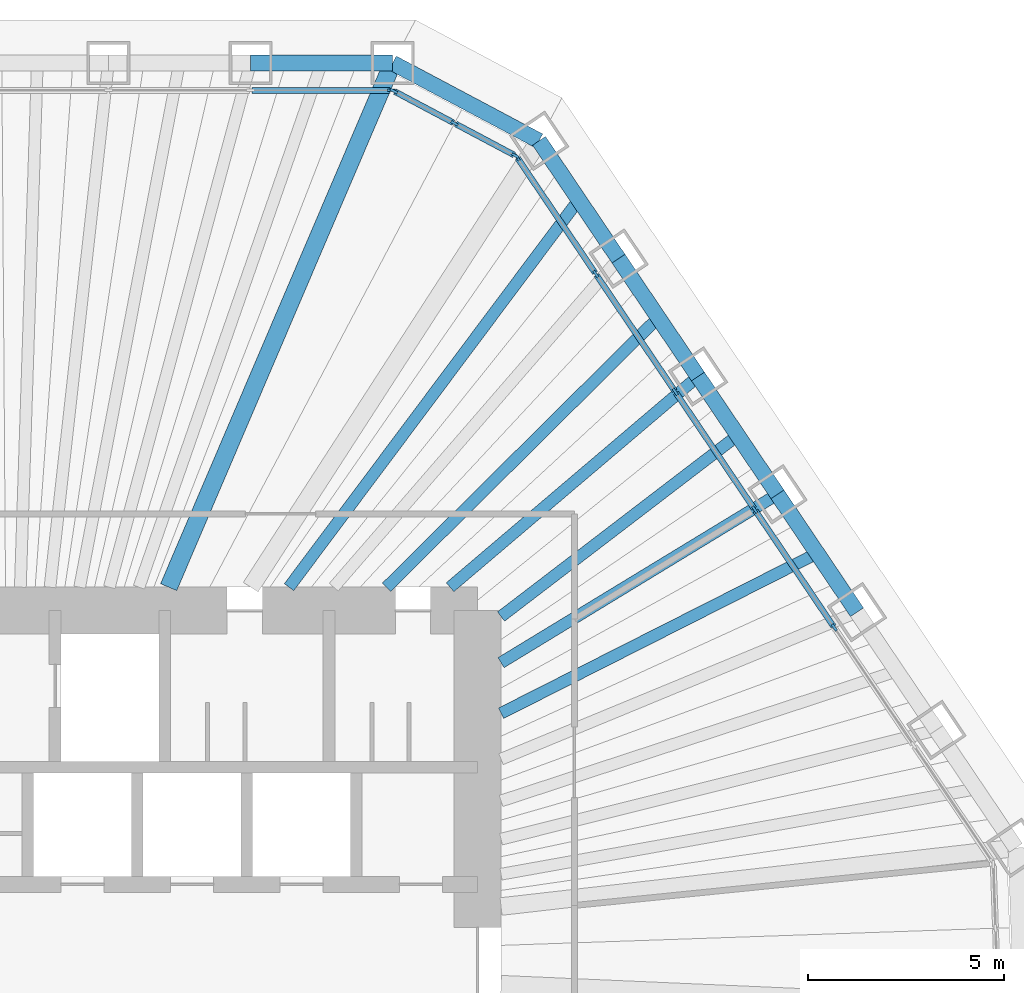
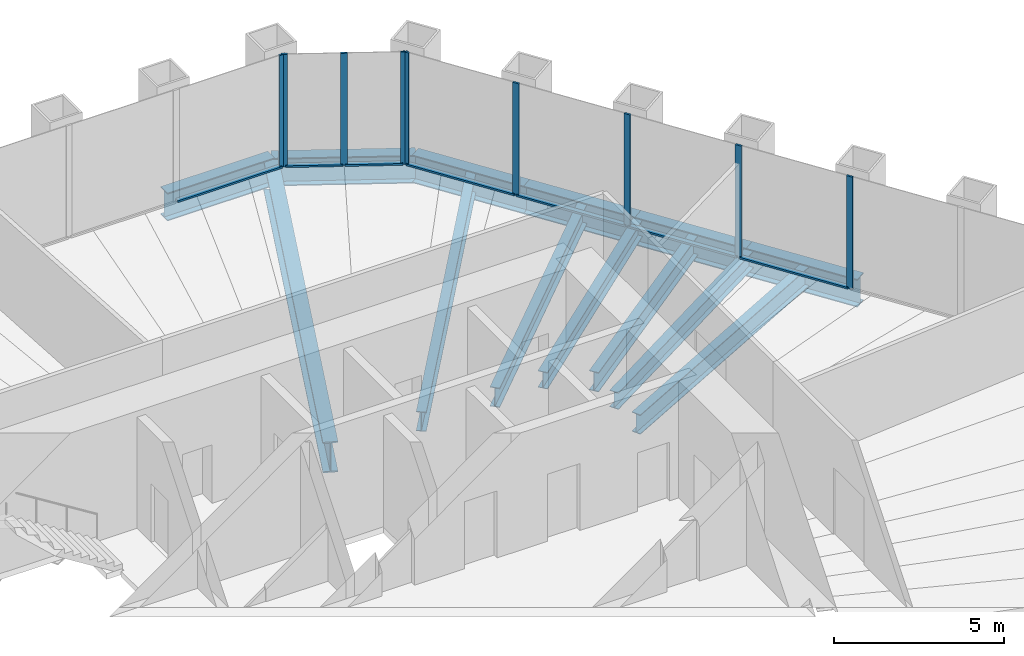
# One storey, part 7 of 13: 16 members, 13 beams, 3 elements without a shape of their own.
"""IFC4 building model written with IfcOpenShell, lengths in metres."""

from ifc_helpers import new_model, si_unit, direction, frame, origin, origin_2d, place, context, subcontext, project, spatial, rectangle, i_section, extrude, material, material_profile, profile_set, type_object, element, aggregate, save


model = new_model("IFC4")

# Units and contexts
model_context = context("Model", 3, precision=1e-05, world=origin(), true_north=direction((0.0, 1.0)))
body_context = subcontext(model_context, "Body", "Model", "MODEL_VIEW")
ifc_project = project(units=[si_unit("LENGTHUNIT", "METRE"), si_unit("AREAUNIT", "SQUARE_METRE"), si_unit("VOLUMEUNIT", "CUBIC_METRE"), si_unit("PLANEANGLEUNIT", "RADIAN"), si_unit("MASSUNIT", "GRAM", prefix="KILO")], contexts=[model_context])

# Site, building, storey
site_placement = place(None, origin())
site = spatial("IfcSite", under=ifc_project, at=site_placement, CompositionType="ELEMENT")
building_placement = place(site_placement, origin())
building = spatial("IfcBuilding", under=site, at=building_placement, Name="Qingtian Harvest Tower", CompositionType="ELEMENT")
storey_placement = place(building_placement, frame((0.0, 0.0, 218.199951171875)))
storey = spatial("IfcBuildingStorey", under=building, at=storey_placement, Name="L47", CompositionType="ELEMENT", Elevation=218.199951171875)

# Beams
ifc_material_1 = material(Name="Steel SM570MC", Category="steel")
ifc_material_profile_1 = material_profile(ifc_material_1, i_section(OverallWidth=0.449951171875, OverallDepth=1.10009765625, WebThickness=0.02197265625, FlangeThickness=0.044921875, at=origin_2d()), Name="H1100x450x22x45")
ifc_profile_set_1 = profile_set([ifc_material_profile_1], Name="Steel SM570MC")
beam_type_1 = type_object("IfcBeamType", Name="Corner floor beam FB8 H1100x450x22x45", PredefinedType="BEAM", material=ifc_profile_set_1)
beam_1_placement = place(storey_placement, frame((9.829345703125, 23.0, -0.719970703125), z_axis=(-0.392976835482, -0.91954837109, 0.0), x_axis=(0.91954837109, -0.392976835482, 0.0)))
element("IfcBeam", 1, at=beam_1_placement, inside=storey, type_object=beam_type_1, Name="Floor beam FB8 N6", PredefinedType="BEAM", context=body_context, shape_type="SweptSolid", body=[
    extrude(i_section(OverallWidth=0.449951171875, OverallDepth=1.10009765625, WebThickness=0.02197265625, FlangeThickness=0.044921875, at=origin_2d()), origin(), (0.0, 0.0, 1.0), 14.572265625),
])
ifc_material_2 = material(Name="Steel SN490B", Category="steel")
ifc_material_profile_2 = material_profile(ifc_material_2, i_section(OverallWidth=0.300048828125, OverallDepth=0.60009765625, WebThickness=0.011962890625, FlangeThickness=0.02001953125, at=origin_2d()), Name="H600x300x12x20")
ifc_profile_set_2 = profile_set([ifc_material_profile_2], Name="Steel SN490B")
beam_type_2 = type_object("IfcBeamType", Name="Floor beam FB3 H600x300x12x20", PredefinedType="BEAM", material=ifc_profile_set_2)
beam_2_placement = place(storey_placement, frame((17.635009765625, 14.985595703125, -0.469970703125), z_axis=(-0.762028398305, -0.647543604846, 0.0), x_axis=(0.647543604846, -0.762028398305, 0.0)))
element("IfcBeam", 2, at=beam_2_placement, inside=storey, type_object=beam_type_2, Name="Floor beam FB3 NE2", PredefinedType="BEAM", context=body_context, shape_type="SweptSolid", body=[
    extrude(i_section(OverallWidth=0.300048828125, OverallDepth=0.60009765625, WebThickness=0.011962890625, FlangeThickness=0.02001953125, at=origin_2d()), origin(), (0.0, 0.0, 1.0), 8.31689453125),
])
beam_3_placement = place(storey_placement, frame((19.6669921875, 11.97314453125, -0.469970703125), z_axis=(-0.854163224424, -0.520004986554, 0.0), x_axis=(0.520004986554, -0.854163224424, 0.0)))
element("IfcBeam", 3, at=beam_3_placement, inside=storey, type_object=beam_type_2, Name="Floor beam FB3 NE3", PredefinedType="BEAM", context=body_context, shape_type="SweptSolid", body=[
    extrude(i_section(OverallWidth=0.300048828125, OverallDepth=0.60009765625, WebThickness=0.011962890625, FlangeThickness=0.02001953125, at=origin_2d()), origin(), (0.0, 0.0, 1.0), 8.2734375),
])
ifc_material_3 = material(Name="Steel SN490B", Category="steel")
ifc_material_profile_3 = material_profile(ifc_material_3, i_section(OverallWidth=0.300048828125, OverallDepth=0.699951171875, WebThickness=0.012939453125, FlangeThickness=0.02392578125, at=origin_2d()), Name="H700x300x13x24")
ifc_profile_set_3 = profile_set([ifc_material_profile_3], Name="Steel SN490B")
beam_type_3 = type_object("IfcBeamType", Name="Floor joist J2 H700x300x13x24", PredefinedType="JOIST", material=ifc_profile_set_3)
beam_4_placement = place(storey_placement, frame((14.58740234375, 19.504150390625, -0.52001953125), z_axis=(-0.598935081494, -0.800797582511, 0.0), x_axis=(0.800797582511, -0.598935081494, 0.0)))
element("IfcBeam", 4, at=beam_4_placement, inside=storey, type_object=beam_type_3, Name="Floor joist J2 NE0", PredefinedType="JOIST", context=body_context, shape_type="SweptSolid", body=[
    extrude(i_section(OverallWidth=0.300048828125, OverallDepth=0.699951171875, WebThickness=0.012939453125, FlangeThickness=0.02392578125, at=origin_2d()), origin(), (0.0, 0.0, 1.0), 12.36767578125),
])
beam_5_placement = place(storey_placement, frame((16.619140625, 16.49169921875, -0.52001953125), z_axis=(-0.709833839663, -0.704369164622, 0.0), x_axis=(0.704369164622, -0.709833839663, 0.0)))
element("IfcBeam", 5, at=beam_5_placement, inside=storey, type_object=beam_type_3, Name="Floor joist J2 NE1", PredefinedType="JOIST", context=body_context, shape_type="SweptSolid", body=[
    extrude(i_section(OverallWidth=0.300048828125, OverallDepth=0.699951171875, WebThickness=0.012939453125, FlangeThickness=0.02392578125, at=origin_2d()), origin(), (0.0, 0.0, 1.0), 9.7841796875),
])
beam_6_placement = place(storey_placement, frame((18.651123046875, 13.4794921875, -0.52001953125), z_axis=(-0.794222288871, -0.607627316585, 0.0), x_axis=(0.607627316585, -0.794222288871, 0.0)))
element("IfcBeam", 6, at=beam_6_placement, inside=storey, type_object=beam_type_3, Name="Floor joist J2 NE2", PredefinedType="JOIST", context=body_context, shape_type="SweptSolid", body=[
    extrude(i_section(OverallWidth=0.300048828125, OverallDepth=0.699951171875, WebThickness=0.012939453125, FlangeThickness=0.02392578125, at=origin_2d()), origin(), (0.0, 0.0, 1.0), 7.618896484375),
])
beam_7_placement = place(storey_placement, frame((20.682861328125, 10.467041015625, -0.52001953125), z_axis=(-0.892244443914, -0.451552712652, 0.0), x_axis=(0.451552712652, -0.892244443914, 0.0)))
element("IfcBeam", 7, at=beam_7_placement, inside=storey, type_object=beam_type_3, Name="Floor joist J2 NE3", PredefinedType="JOIST", context=body_context, shape_type="SweptSolid", body=[
    extrude(i_section(OverallWidth=0.300048828125, OverallDepth=0.699951171875, WebThickness=0.012939453125, FlangeThickness=0.02392578125, at=origin_2d()), origin(), (0.0, 0.0, 1.0), 9.058837890625),
])

# Curtain wall, member
ifc_material_4 = material(Name="Bronze-anodised aluminium curtain wall", Category="aluminium")
curtain_wall_type = type_object("IfcCurtainWallType", Name="Curtain wall CW4 office", PredefinedType="USERDEFINED", material=ifc_material_4)
curtain_wall_1_placement = place(storey_placement, origin())
curtain_wall_1 = element("IfcCurtainWall", 8, at=curtain_wall_1_placement, inside=storey, type_object=curtain_wall_type, Name="Curtain wall CW4 L47 N0-5", ObjectType="RECESSED CURTAIN WALL", PredefinedType="USERDEFINED")
ifc_material_5 = material(Name="Bronze-anodised aluminium mullion", Category="aluminium")
ifc_material_profile_4 = material_profile(ifc_material_5, rectangle(XDim=0.06494140625, YDim=0.199951171875, at=origin_2d()), Name="AL 65x200")
ifc_profile_set_4 = profile_set([ifc_material_profile_4], Name="Bronze-anodised aluminium mullion")
member_type_1 = type_object("IfcMemberType", Name="Mullion CWM 65x200", PredefinedType="MULLION", material=ifc_profile_set_4)
member_1_placement = place(storey_placement, frame((9.796875, 22.300048828125, 0.0), z_axis=(0.0, 0.0, 1.0), x_axis=(0.0, 1.0, 0.0)))
member_1 = element("IfcMember", 9, at=member_1_placement, type_object=member_type_1, Name="CW4 mullion 7", PredefinedType="MULLION", context=body_context, shape_type="SweptSolid", body=[
    extrude(rectangle(XDim=0.06494140625, YDim=0.199951171875, at=origin_2d()), origin(), (0.0, 0.0, 1.0), 4.030029296875),
])

# Curtain wall, members
curtain_wall_2_placement = place(storey_placement, origin())
curtain_wall_2 = element("IfcCurtainWall", 10, at=curtain_wall_2_placement, inside=storey, type_object=curtain_wall_type, Name="Curtain wall CW4 L47 NC", ObjectType="RECESSED CURTAIN WALL", PredefinedType="USERDEFINED")
member_2_placement = place(storey_placement, frame((9.85791015625, 22.28466796875, 0.0), z_axis=(0.0, 0.0, 1.0), x_axis=(0.469471562786, 0.882947592859, 0.0)))
member_2 = element("IfcMember", 11, at=member_2_placement, type_object=member_type_1, Name="CW4 mullion 1", PredefinedType="MULLION", context=body_context, shape_type="SweptSolid", body=[
    extrude(rectangle(XDim=0.06494140625, YDim=0.199951171875, at=origin_2d()), origin(), (0.0, 0.0, 1.0), 4.030029296875),
])
member_3_placement = place(storey_placement, frame((11.41015625, 21.45947265625, 0.0), z_axis=(0.0, 0.0, 1.0), x_axis=(0.469471562786, 0.882947592859, 0.0)))
member_3 = element("IfcMember", 12, at=member_3_placement, type_object=member_type_1, Name="CW4 mullion 2", PredefinedType="MULLION", context=body_context, shape_type="SweptSolid", body=[
    extrude(rectangle(XDim=0.06494140625, YDim=0.199951171875, at=origin_2d()), origin(), (0.0, 0.0, 1.0), 4.030029296875),
])
member_4_placement = place(storey_placement, frame((12.96240234375, 20.634033203125, 0.0), z_axis=(0.0, 0.0, 1.0), x_axis=(0.469471562786, 0.882947592859, 0.0)))
member_4 = element("IfcMember", 13, at=member_4_placement, type_object=member_type_1, Name="CW4 mullion 3", PredefinedType="MULLION", context=body_context, shape_type="SweptSolid", body=[
    extrude(rectangle(XDim=0.06494140625, YDim=0.199951171875, at=origin_2d()), origin(), (0.0, 0.0, 1.0), 4.030029296875),
])

curtain_wall_3_placement = place(storey_placement, origin())
curtain_wall_3 = element("IfcCurtainWall", 14, at=curtain_wall_3_placement, inside=storey, type_object=curtain_wall_type, Name="Curtain wall CW4 L47 NE0-5", ObjectType="RECESSED CURTAIN WALL", PredefinedType="USERDEFINED")
member_5_placement = place(storey_placement, frame((13.00927734375, 20.592041015625, 0.0), z_axis=(0.0, 0.0, 1.0), x_axis=(0.829037572555, 0.559192903471, 0.0)))
member_5 = element("IfcMember", 15, at=member_5_placement, type_object=member_type_1, Name="CW4 mullion 1", PredefinedType="MULLION", context=body_context, shape_type="SweptSolid", body=[
    extrude(rectangle(XDim=0.06494140625, YDim=0.199951171875, at=origin_2d()), origin(), (0.0, 0.0, 1.0), 4.030029296875),
])
member_6_placement = place(storey_placement, frame((15.02294921875, 17.6064453125, 0.0), z_axis=(0.0, 0.0, 1.0), x_axis=(0.829037572555, 0.559192903471, 0.0)))
member_6 = element("IfcMember", 16, at=member_6_placement, type_object=member_type_1, Name="CW4 mullion 2", PredefinedType="MULLION", context=body_context, shape_type="SweptSolid", body=[
    extrude(rectangle(XDim=0.06494140625, YDim=0.199951171875, at=origin_2d()), origin(), (0.0, 0.0, 1.0), 4.030029296875),
])
member_7_placement = place(storey_placement, frame((17.0546875, 14.59423828125, 0.0), z_axis=(0.0, 0.0, 1.0), x_axis=(0.829037572555, 0.559192903471, 0.0)))
member_7 = element("IfcMember", 17, at=member_7_placement, type_object=member_type_1, Name="CW4 mullion 3", PredefinedType="MULLION", context=body_context, shape_type="SweptSolid", body=[
    extrude(rectangle(XDim=0.06494140625, YDim=0.199951171875, at=origin_2d()), origin(), (0.0, 0.0, 1.0), 4.030029296875),
])
member_8_placement = place(storey_placement, frame((19.086669921875, 11.581787109375, 0.0), z_axis=(0.0, 0.0, 1.0), x_axis=(0.829037572555, 0.559192903471, 0.0)))
member_8 = element("IfcMember", 18, at=member_8_placement, type_object=member_type_1, Name="CW4 mullion 4", PredefinedType="MULLION", context=body_context, shape_type="SweptSolid", body=[
    extrude(rectangle(XDim=0.06494140625, YDim=0.199951171875, at=origin_2d()), origin(), (0.0, 0.0, 1.0), 4.030029296875),
])
member_9_placement = place(storey_placement, frame((21.118408203125, 8.569580078125, 0.0), z_axis=(0.0, 0.0, 1.0), x_axis=(0.829037572555, 0.559192903471, 0.0)))
member_9 = element("IfcMember", 19, at=member_9_placement, type_object=member_type_1, Name="CW4 mullion 5", PredefinedType="MULLION", context=body_context, shape_type="SweptSolid", body=[
    extrude(rectangle(XDim=0.06494140625, YDim=0.199951171875, at=origin_2d()), origin(), (0.0, 0.0, 1.0), 4.030029296875),
])

# Beams
ifc_material_6 = material(Name="Steel SN490B", Category="steel")
ifc_material_profile_5 = material_profile(ifc_material_6, i_section(OverallWidth=0.39990234375, OverallDepth=1.0, WebThickness=0.01904296875, FlangeThickness=0.035888671875, at=origin_2d()), Name="H1000x400x19x36")
ifc_profile_set_5 = profile_set([ifc_material_profile_5], Name="Steel SN490B")
beam_type_4 = type_object("IfcBeamType", Name="Spandrel beam SB3 H1000x400x19x36", PredefinedType="SPANDREL", material=ifc_profile_set_5)
beam_8_placement = place(storey_placement, frame((6.19580078125, 23.0, -0.5), z_axis=(1.0, 0.0, 0.0), x_axis=(0.0, 1.0, 0.0)))
element("IfcBeam", 20, at=beam_8_placement, inside=storey, type_object=beam_type_4, Name="Spandrel SB3 N5", PredefinedType="SPANDREL", context=body_context, shape_type="SweptSolid", body=[
    extrude(i_section(OverallWidth=0.39990234375, OverallDepth=1.0, WebThickness=0.01904296875, FlangeThickness=0.035888671875, at=origin_2d()), origin(), (0.0, 0.0, 1.0), 3.633544921875),
])
beam_9_placement = place(storey_placement, frame((9.829345703125, 23.0, -0.5), z_axis=(0.882935902835, -0.469493547863, 0.0), x_axis=(0.469493547863, 0.882935902835, 0.0)))
element("IfcBeam", 21, at=beam_9_placement, inside=storey, type_object=beam_type_4, Name="Spandrel SB3 NC", PredefinedType="SPANDREL", context=body_context, shape_type="SweptSolid", body=[
    extrude(i_section(OverallWidth=0.39990234375, OverallDepth=1.0, WebThickness=0.01904296875, FlangeThickness=0.035888671875, at=origin_2d()), origin(), (0.0, 0.0, 1.0), 4.238037109375),
])
for number, where, z_axis, x_axis, name in (
    (22, (13.5712890625, 21.01025390625, -0.5), (0.559235108412, -0.829009103399, 0.0), (0.829009103399, 0.559235108412, 0.0), "Spandrel SB3 NE0"),
    (23, (15.603271484375, 17.998046875, -0.5), (0.55915777886, -0.829061263321, 0.0), (0.829061263321, 0.55915777886, 0.0), "Spandrel SB3 NE1"),
):
    element("IfcBeam", number, at=place(storey_placement, frame(where, z_axis=z_axis, x_axis=x_axis)), inside=storey, type_object=beam_type_4, Name=name, PredefinedType="SPANDREL", context=body_context, shape_type="SweptSolid", body=[
        extrude(i_section(OverallWidth=0.39990234375, OverallDepth=1.0, WebThickness=0.01904296875, FlangeThickness=0.035888671875, at=origin_2d()), origin(), (0.0, 0.0, 1.0), 3.633544921875),
    ])
beam_10_placement = place(storey_placement, frame((17.635009765625, 14.985595703125, -0.5), z_axis=(0.55920395902, -0.829030115385, 0.0), x_axis=(0.829030115385, 0.55920395902, 0.0)))
element("IfcBeam", 24, at=beam_10_placement, inside=storey, type_object=beam_type_4, Name="Spandrel SB3 NE2", PredefinedType="SPANDREL", context=body_context, shape_type="SweptSolid", body=[
    extrude(i_section(OverallWidth=0.39990234375, OverallDepth=1.0, WebThickness=0.01904296875, FlangeThickness=0.035888671875, at=origin_2d()), origin(), (0.0, 0.0, 1.0), 3.6337890625),
])
beam_11_placement = place(storey_placement, frame((19.6669921875, 11.97314453125, -0.5), z_axis=(0.559188928021, -0.829040254016, 0.0), x_axis=(0.829040254016, 0.559188928021, 0.0)))
element("IfcBeam", 25, at=beam_11_placement, inside=storey, type_object=beam_type_4, Name="Spandrel SB3 NE3", PredefinedType="SPANDREL", context=body_context, shape_type="SweptSolid", body=[
    extrude(i_section(OverallWidth=0.39990234375, OverallDepth=1.0, WebThickness=0.01904296875, FlangeThickness=0.035888671875, at=origin_2d()), origin(), (0.0, 0.0, 1.0), 3.63330078125),
])

# Member
ifc_material_7 = material(Name="Bronze-anodised aluminium transom", Category="aluminium")
ifc_material_profile_6 = material_profile(ifc_material_7, rectangle(XDim=0.14990234375, YDim=0.06494140625, at=origin_2d()), Name="AL 65x150")
ifc_profile_set_6 = profile_set([ifc_material_profile_6], Name="Bronze-anodised aluminium transom")
member_type_2 = type_object("IfcMemberType", Name="Transom CWT 65x150", PredefinedType="USERDEFINED", material=ifc_profile_set_6)
member_10_placement = place(storey_placement, frame((6.228271484375, 22.300048828125, 0.032470703125), z_axis=(1.0, 0.0, 0.0), x_axis=(0.0, 1.0, 0.0)))
member_10 = element("IfcMember", 26, at=member_10_placement, type_object=member_type_2, Name="CW4 transom 6.1", ObjectType="TRANSOM", PredefinedType="USERDEFINED", context=body_context, shape_type="SweptSolid", body=[
    extrude(rectangle(XDim=0.14990234375, YDim=0.06494140625, at=origin_2d()), origin(), (0.0, 0.0, 1.0), 3.5361328125),
])

aggregate(curtain_wall_1, [member_1, member_10])

member_11_placement = place(storey_placement, frame((9.88671875, 22.26953125, 0.032470703125), z_axis=(0.882927080927, -0.469510138086, 0.0), x_axis=(0.469510138086, 0.882927080927, 0.0)))
member_11 = element("IfcMember", 27, at=member_11_placement, type_object=member_type_2, Name="CW4 transom 1.1", ObjectType="TRANSOM", PredefinedType="USERDEFINED", context=body_context, shape_type="SweptSolid", body=[
    extrude(rectangle(XDim=0.14990234375, YDim=0.06494140625, at=origin_2d()), origin(), (0.0, 0.0, 1.0), 1.693115234375),
])

member_12_placement = place(storey_placement, frame((11.43896484375, 21.444091796875, 0.032470703125), z_axis=(0.882955074232, -0.469457492098, 0.0), x_axis=(0.469457492098, 0.882955074232, 0.0)))
member_12 = element("IfcMember", 28, at=member_12_placement, type_object=member_type_2, Name="CW4 transom 2.1", ObjectType="TRANSOM", PredefinedType="USERDEFINED", context=body_context, shape_type="SweptSolid", body=[
    extrude(rectangle(XDim=0.14990234375, YDim=0.06494140625, at=origin_2d()), origin(), (0.0, 0.0, 1.0), 1.69287109375),
])

aggregate(curtain_wall_2, [member_2, member_3, member_4, member_11, member_12])

member_13_placement = place(storey_placement, frame((13.02734375, 20.56494140625, 0.032470703125), z_axis=(0.559201266891, -0.829031931295, 0.0), x_axis=(0.829031931295, 0.559201266891, 0.0)))
member_13 = element("IfcMember", 29, at=member_13_placement, type_object=member_type_2, Name="CW4 transom 1.1", ObjectType="TRANSOM", PredefinedType="USERDEFINED", context=body_context, shape_type="SweptSolid", body=[
    extrude(rectangle(XDim=0.14990234375, YDim=0.06494140625, at=origin_2d()), origin(), (0.0, 0.0, 1.0), 3.535888671875),
])

member_14_placement = place(storey_placement, frame((15.041015625, 17.57958984375, 0.032470703125), z_axis=(0.559207281901, -0.829027874, 0.0), x_axis=(0.829027874, 0.559207281901, 0.0)))
member_14 = element("IfcMember", 30, at=member_14_placement, type_object=member_type_2, Name="CW4 transom 2.1", ObjectType="TRANSOM", PredefinedType="USERDEFINED", context=body_context, shape_type="SweptSolid", body=[
    extrude(rectangle(XDim=0.14990234375, YDim=0.06494140625, at=origin_2d()), origin(), (0.0, 0.0, 1.0), 3.568603515625),
])

member_15_placement = place(storey_placement, frame((17.072998046875, 14.567138671875, 0.032470703125), z_axis=(0.559191977147, -0.829038197368, 0.0), x_axis=(0.829038197368, 0.559191977147, 0.0)))
member_15 = element("IfcMember", 31, at=member_15_placement, type_object=member_type_2, Name="CW4 transom 3.1", ObjectType="TRANSOM", PredefinedType="USERDEFINED", context=body_context, shape_type="SweptSolid", body=[
    extrude(rectangle(XDim=0.14990234375, YDim=0.06494140625, at=origin_2d()), origin(), (0.0, 0.0, 1.0), 3.568359375),
])

member_16_placement = place(storey_placement, frame((19.104736328125, 11.554931640625, 0.032470703125), z_axis=(0.559207281901, -0.829027874, 0.0), x_axis=(0.829027874, 0.559207281901, 0.0)))
member_16 = element("IfcMember", 32, at=member_16_placement, type_object=member_type_2, Name="CW4 transom 4.1", ObjectType="TRANSOM", PredefinedType="USERDEFINED", context=body_context, shape_type="SweptSolid", body=[
    extrude(rectangle(XDim=0.14990234375, YDim=0.06494140625, at=origin_2d()), origin(), (0.0, 0.0, 1.0), 3.568603515625),
])

aggregate(curtain_wall_3, [member_5, member_6, member_7, member_8, member_9, member_13, member_14, member_15, member_16])

save(model, "model.ifc")
